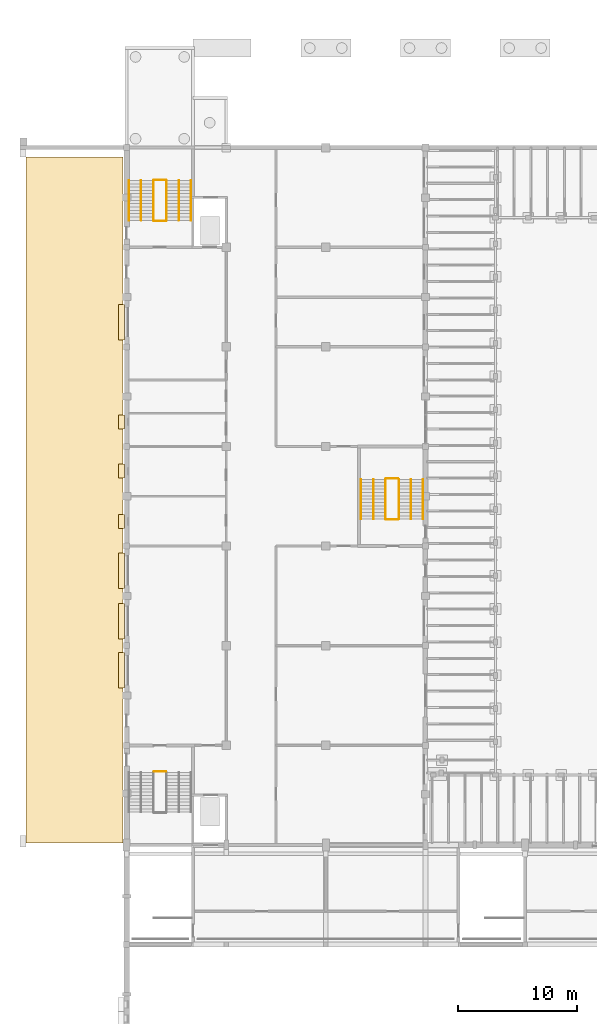
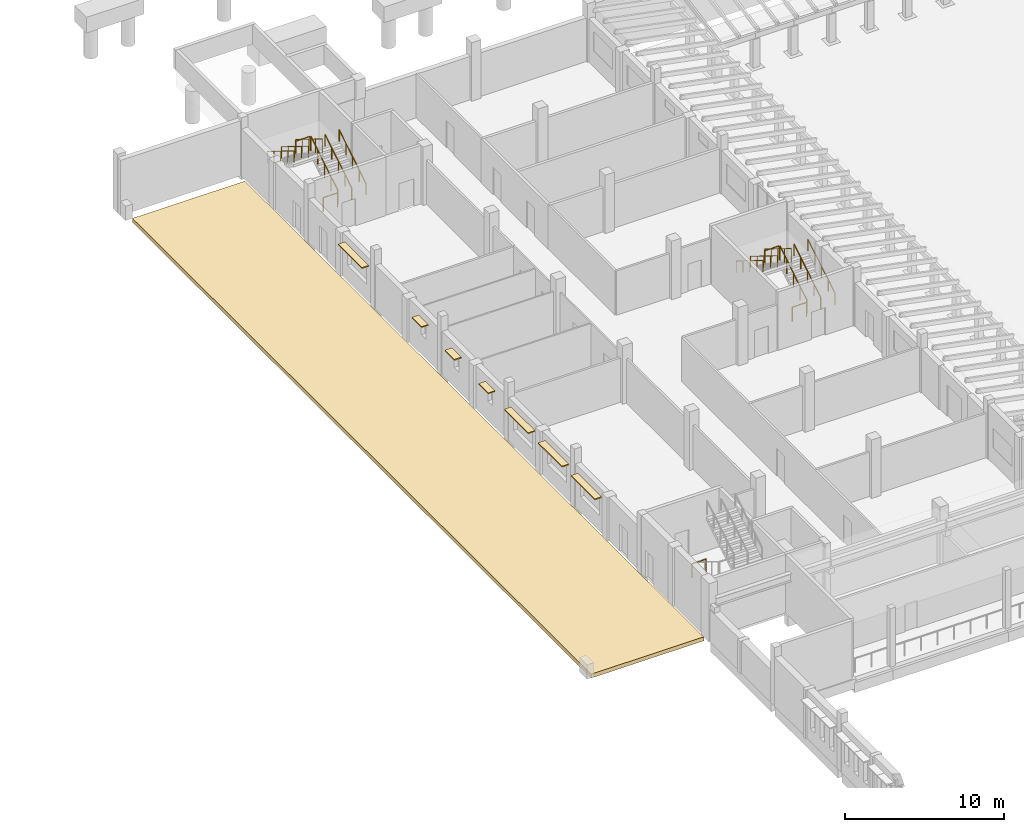
# One storey, part 55 of 60: 17 railings, 8 coverings.
"""IFC4 building model written with IfcOpenShell, lengths in metres."""

from ifc_helpers import new_model, si_unit, direction, frame, origin, origin_2d, place, context, subcontext, project, spatial, polyline, rectangle, circle, outline, extrude, material, layer, layer_set, type_object, element, save


model = new_model("IFC4")

# Units and contexts
model_context = context("Model", 3, precision=1e-05, world=origin(), true_north=direction((0.0, 1.0)))
body_context = subcontext(model_context, "Body", "Model", "MODEL_VIEW")
ifc_project = project(units=[si_unit("LENGTHUNIT", "METRE"), si_unit("AREAUNIT", "SQUARE_METRE"), si_unit("VOLUMEUNIT", "CUBIC_METRE"), si_unit("PLANEANGLEUNIT", "RADIAN"), si_unit("MASSUNIT", "GRAM", prefix="KILO")], contexts=[model_context])

# Site, building, storey
site_placement = place(None, origin())
site = spatial("IfcSite", under=ifc_project, at=site_placement, CompositionType="ELEMENT")
building_placement = place(site_placement, origin())
building = spatial("IfcBuilding", under=site, at=building_placement, Name="Fescue Hill Polytechnic", CompositionType="ELEMENT")
storey_placement = place(building_placement, frame((0.0, 0.0, 4.5)))
storey = spatial("IfcBuildingStorey", under=building, at=storey_placement, Name="L01", CompositionType="ELEMENT", Elevation=4.5)

# Coverings
ifc_material_1 = material(Name="Precast concrete C40/50", Category="concrete")
ifc_layer_1 = layer(ifc_material_1, 0.080078125)
ifc_layer_set_1 = layer_set([ifc_layer_1], Name="Precast concrete C40/50")
covering_type_1 = type_object("IfcCoveringType", Name="Shade blade precast 500x80", PredefinedType="CLADDING", material=ifc_layer_set_1)
covering_1_placement = place(storey_placement, frame((-0.43994140625, 94.47509765625, 2.75), z_axis=(0.0, 0.0, 1.0), x_axis=(0.0, -1.0, 0.0)))
element("IfcCovering", 1, at=covering_1_placement, inside=storey, type_object=covering_type_1, Name="SB-L01-V4-1", PredefinedType="CLADDING", context=body_context, shape_type="SweptSolid", body=[
    extrude(rectangle(XDim=3.0, YDim=0.5, at=origin_2d()), origin(), (0.0, 0.0, 1.0), 0.080078125),
])
for number, where, z_axis, x_axis, name in (
    (2, (-0.43994140625, 86.074951171875, 2.75), (0.0, 0.0, 1.0), (0.0, -1.0, 0.0), "SB-L01-V4-2"),
    (3, (-0.43994140625, 81.925048828125, 2.75), (0.0, 0.0, 1.0), (0.0, -1.0, 0.0), "SB-L01-V4-3"),
    (4, (-0.43994140625, 77.675048828125, 2.75), (0.0, 0.0, 1.0), (0.0, -1.0, 0.0), "SB-L01-V4-4"),
):
    element("IfcCovering", number, at=place(storey_placement, frame(where, z_axis=z_axis, x_axis=x_axis)), inside=storey, type_object=covering_type_1, Name=name, PredefinedType="CLADDING", context=body_context, shape_type="SweptSolid", body=[
        extrude(rectangle(XDim=1.199951171875, YDim=0.5, at=origin_2d()), origin(), (0.0, 0.0, 1.0), 0.080078125),
    ])
for number, where, z_axis, x_axis, name in (
    (5, (-0.43994140625, 73.52490234375, 2.75), (0.0, 0.0, 1.0), (0.0, -1.0, 0.0), "SB-L01-V4-5"),
    (6, (-0.43994140625, 69.27490234375, 2.75), (0.0, 0.0, 1.0), (0.0, -1.0, 0.0), "SB-L01-V4-6"),
    (7, (-0.43994140625, 65.125, 2.75), (0.0, 0.0, 1.0), (0.0, -1.0, 0.0), "SB-L01-V4-7"),
):
    element("IfcCovering", number, at=place(storey_placement, frame(where, z_axis=z_axis, x_axis=x_axis)), inside=storey, type_object=covering_type_1, Name=name, PredefinedType="CLADDING", context=body_context, shape_type="SweptSolid", body=[
        extrude(rectangle(XDim=3.0, YDim=0.5, at=origin_2d()), origin(), (0.0, 0.0, 1.0), 0.080078125),
    ])

# Railings
ifc_material_2 = material(Name="Steel 350W (350 MPa)", Category="steel")
railing_type_1 = type_object("IfcRailingType", Name="Stair guard steel 1100", PredefinedType="GUARDRAIL", material=ifc_material_2)
railing_1_placement = place(storey_placement, frame((2.300048828125, 56.574951171875, 0.0)))
element("IfcRailing", 8, at=railing_1_placement, inside=storey, type_object=railing_type_1, Name="L01 ST-V4-1 stair guard 4", PredefinedType="GUARDRAIL", context=body_context, shape_type="SweptSolid", body=[
    extrude(circle(Radius=0.02392578125, at=origin_2d()), frame((0.0, 0.0, 1.076171875), z_axis=(1.0, 0.0, 0.0), x_axis=(0.0, 1.0, 0.0)), (0.0, 0.0, 1.0), 1.02490234375),
    extrude(circle(Radius=0.02099609375, at=origin_2d()), origin(), (0.0, 0.0, 1.0), 1.052001953125),
    extrude(circle(Radius=0.02099609375, at=origin_2d()), frame((1.02490234375, 0.0, 0.0)), (0.0, 0.0, 1.0), 1.052001953125),
])
railing_2_placement = place(storey_placement, frame((3.375, 103.074951171875, 0.173095703125)))
element("IfcRailing", 9, at=railing_2_placement, inside=storey, type_object=railing_type_1, Name="L01 ST-V4-2 stair guard 1", PredefinedType="GUARDRAIL", context=body_context, shape_type="SweptSolid", body=[
    extrude(circle(Radius=0.02392578125, at=origin_2d()), frame((0.0, 0.0, 1.076171875), z_axis=(0.0, 0.850623216509, 0.525775754039), x_axis=(-1.0, 0.0, 0.0)), (0.0, 0.0, 1.0), 3.9501953125),
    extrude(circle(Radius=0.02099609375, at=origin_2d()), origin(), (0.0, 0.0, 1.0), 1.052001953125),
    extrude(circle(Radius=0.02099609375, at=origin_2d()), frame((0.0, 0.840087890625, 0.519287109375)), (0.0, 0.0, 1.0), 1.052001953125),
    extrude(circle(Radius=0.02099609375, at=origin_2d()), frame((0.0, 1.68017578125, 1.03857421875)), (0.0, 0.0, 1.0), 1.052001953125),
    extrude(circle(Radius=0.02099609375, at=origin_2d()), frame((0.0, 2.52001953125, 1.5576171875)), (0.0, 0.0, 1.0), 1.052001953125),
    extrude(circle(Radius=0.02099609375, at=origin_2d()), frame((0.0, 3.360107421875, 2.076904296875)), (0.0, 0.0, 1.0), 1.052001953125),
])
railing_3_placement = place(storey_placement, frame((3.324951171875, 106.485107421875, 2.25)))
element("IfcRailing", 10, at=railing_3_placement, inside=storey, type_object=railing_type_1, Name="L01 ST-V4-2 stair guard 2", PredefinedType="GUARDRAIL", context=body_context, shape_type="SweptSolid", body=[
    extrude(circle(Radius=0.02392578125, at=origin_2d()), frame((0.0, 0.0, 1.076171875), z_axis=(-1.0, 0.0, 0.0), x_axis=(0.0, -1.0, 0.0)), (0.0, 0.0, 1.0), 1.02490234375),
    extrude(circle(Radius=0.02099609375, at=origin_2d()), origin(), (0.0, 0.0, 1.0), 1.052001953125),
    extrude(circle(Radius=0.02099609375, at=origin_2d()), frame((-1.02490234375, 0.0, 0.0)), (0.0, 0.0, 1.0), 1.052001953125),
])
railing_4_placement = place(storey_placement, frame((2.25, 106.43505859375, 2.423095703125)))
element("IfcRailing", 11, at=railing_4_placement, inside=storey, type_object=railing_type_1, Name="L01 ST-V4-2 stair guard 3", PredefinedType="GUARDRAIL", context=body_context, shape_type="SweptSolid", body=[
    extrude(circle(Radius=0.02392578125, at=origin_2d()), frame((0.0, 0.0, 1.076171875), z_axis=(0.0, -0.850623216509, 0.525775754039), x_axis=(1.0, 0.0, 0.0)), (0.0, 0.0, 1.0), 3.9501953125),
    extrude(circle(Radius=0.02099609375, at=origin_2d()), origin(), (0.0, 0.0, 1.0), 1.052001953125),
    extrude(circle(Radius=0.02099609375, at=origin_2d()), frame((0.0, -0.840087890625, 0.519287109375)), (0.0, 0.0, 1.0), 1.052001953125),
    extrude(circle(Radius=0.02099609375, at=origin_2d()), frame((0.0, -1.68017578125, 1.03857421875)), (0.0, 0.0, 1.0), 1.052001953125),
    extrude(circle(Radius=0.02099609375, at=origin_2d()), frame((0.0, -2.52001953125, 1.5576171875)), (0.0, 0.0, 1.0), 1.052001953125),
    extrude(circle(Radius=0.02099609375, at=origin_2d()), frame((0.0, -3.360107421875, 2.076904296875)), (0.0, 0.0, 1.0), 1.052001953125),
])
railing_5_placement = place(storey_placement, frame((3.324951171875, 103.02490234375, 0.0)))
element("IfcRailing", 12, at=railing_5_placement, inside=storey, type_object=railing_type_1, Name="L01 ST-V4-2 stair guard 4", PredefinedType="GUARDRAIL", context=body_context, shape_type="SweptSolid", body=[
    extrude(circle(Radius=0.02392578125, at=origin_2d()), frame((0.0, 0.0, 1.076171875), z_axis=(-1.0, 0.0, 0.0), x_axis=(0.0, -1.0, 0.0)), (0.0, 0.0, 1.0), 1.02490234375),
    extrude(circle(Radius=0.02099609375, at=origin_2d()), origin(), (0.0, 0.0, 1.0), 1.052001953125),
    extrude(circle(Radius=0.02099609375, at=origin_2d()), frame((-1.02490234375, 0.0, 0.0)), (0.0, 0.0, 1.0), 1.052001953125),
])
railing_6_placement = place(storey_placement, frame((22.949951171875, 77.875, 0.173095703125)))
element("IfcRailing", 13, at=railing_6_placement, inside=storey, type_object=railing_type_1, Name="L01 ST-V4-3 stair guard 1", PredefinedType="GUARDRAIL", context=body_context, shape_type="SweptSolid", body=[
    extrude(circle(Radius=0.02392578125, at=origin_2d()), frame((0.0, 0.0, 1.076171875), z_axis=(0.0, 0.850623216509, 0.525775754039), x_axis=(-1.0, 0.0, 0.0)), (0.0, 0.0, 1.0), 3.9501953125),
    extrude(circle(Radius=0.02099609375, at=origin_2d()), origin(), (0.0, 0.0, 1.0), 1.052001953125),
    extrude(circle(Radius=0.02099609375, at=origin_2d()), frame((0.0, 0.840087890625, 0.519287109375)), (0.0, 0.0, 1.0), 1.052001953125),
    extrude(circle(Radius=0.02099609375, at=origin_2d()), frame((0.0, 1.68017578125, 1.03857421875)), (0.0, 0.0, 1.0), 1.052001953125),
    extrude(circle(Radius=0.02099609375, at=origin_2d()), frame((0.0, 2.52001953125, 1.5576171875)), (0.0, 0.0, 1.0), 1.052001953125),
    extrude(circle(Radius=0.02099609375, at=origin_2d()), frame((0.0, 3.360107421875, 2.076904296875)), (0.0, 0.0, 1.0), 1.052001953125),
])
railing_7_placement = place(storey_placement, frame((22.89990234375, 81.284912109375, 2.25)))
element("IfcRailing", 14, at=railing_7_placement, inside=storey, type_object=railing_type_1, Name="L01 ST-V4-3 stair guard 2", PredefinedType="GUARDRAIL", context=body_context, shape_type="SweptSolid", body=[
    extrude(circle(Radius=0.02392578125, at=origin_2d()), frame((0.0, 0.0, 1.076171875), z_axis=(-1.0, 0.0, 0.0), x_axis=(0.0, -1.0, 0.0)), (0.0, 0.0, 1.0), 1.02490234375),
    extrude(circle(Radius=0.02099609375, at=origin_2d()), origin(), (0.0, 0.0, 1.0), 1.052001953125),
    extrude(circle(Radius=0.02099609375, at=origin_2d()), frame((-1.02490234375, 0.0, 0.0)), (0.0, 0.0, 1.0), 1.052001953125),
])
railing_8_placement = place(storey_placement, frame((21.824951171875, 81.235107421875, 2.423095703125)))
element("IfcRailing", 15, at=railing_8_placement, inside=storey, type_object=railing_type_1, Name="L01 ST-V4-3 stair guard 3", PredefinedType="GUARDRAIL", context=body_context, shape_type="SweptSolid", body=[
    extrude(circle(Radius=0.02392578125, at=origin_2d()), frame((0.0, 0.0, 1.076171875), z_axis=(0.0, -0.850623216509, 0.525775754039), x_axis=(1.0, 0.0, 0.0)), (0.0, 0.0, 1.0), 3.9501953125),
    extrude(circle(Radius=0.02099609375, at=origin_2d()), origin(), (0.0, 0.0, 1.0), 1.052001953125),
    extrude(circle(Radius=0.02099609375, at=origin_2d()), frame((0.0, -0.840087890625, 0.519287109375)), (0.0, 0.0, 1.0), 1.052001953125),
    extrude(circle(Radius=0.02099609375, at=origin_2d()), frame((0.0, -1.68017578125, 1.03857421875)), (0.0, 0.0, 1.0), 1.052001953125),
    extrude(circle(Radius=0.02099609375, at=origin_2d()), frame((0.0, -2.52001953125, 1.5576171875)), (0.0, 0.0, 1.0), 1.052001953125),
    extrude(circle(Radius=0.02099609375, at=origin_2d()), frame((0.0, -3.360107421875, 2.076904296875)), (0.0, 0.0, 1.0), 1.052001953125),
])
railing_9_placement = place(storey_placement, frame((22.89990234375, 77.824951171875, 0.0)))
element("IfcRailing", 16, at=railing_9_placement, inside=storey, type_object=railing_type_1, Name="L01 ST-V4-3 stair guard 4", PredefinedType="GUARDRAIL", context=body_context, shape_type="SweptSolid", body=[
    extrude(circle(Radius=0.02392578125, at=origin_2d()), frame((0.0, 0.0, 1.076171875), z_axis=(-1.0, 0.0, 0.0), x_axis=(0.0, -1.0, 0.0)), (0.0, 0.0, 1.0), 1.02490234375),
    extrude(circle(Radius=0.02099609375, at=origin_2d()), origin(), (0.0, 0.0, 1.0), 1.052001953125),
    extrude(circle(Radius=0.02099609375, at=origin_2d()), frame((-1.02490234375, 0.0, 0.0)), (0.0, 0.0, 1.0), 1.052001953125),
])
railing_type_2 = type_object("IfcRailingType", Name="Stair handrail steel 900", PredefinedType="HANDRAIL", material=ifc_material_2)
railing_10_placement = place(storey_placement, frame((5.425048828125, 103.074951171875, 0.173095703125)))
element("IfcRailing", 17, at=railing_10_placement, inside=storey, type_object=railing_type_2, Name="L01 ST-V4-2 stair handrail 1", PredefinedType="HANDRAIL", context=body_context, shape_type="SweptSolid", body=[
    extrude(circle(Radius=0.02392578125, at=origin_2d()), frame((0.0, 0.0, 0.8759765625), z_axis=(0.0, 0.850623216509, 0.525775754039), x_axis=(-1.0, 0.0, 0.0)), (0.0, 0.0, 1.0), 3.9501953125),
    extrude(circle(Radius=0.02099609375, at=origin_2d()), origin(), (0.0, 0.0, 1.0), 0.851806640625),
    extrude(circle(Radius=0.02099609375, at=origin_2d()), frame((0.0, 0.840087890625, 0.519287109375)), (0.0, 0.0, 1.0), 0.851806640625),
    extrude(circle(Radius=0.02099609375, at=origin_2d()), frame((0.0, 1.68017578125, 1.03857421875)), (0.0, 0.0, 1.0), 0.851806640625),
    extrude(circle(Radius=0.02099609375, at=origin_2d()), frame((0.0, 2.52001953125, 1.5576171875)), (0.0, 0.0, 1.0), 0.851806640625),
    extrude(circle(Radius=0.02099609375, at=origin_2d()), frame((0.0, 3.360107421875, 2.076904296875)), (0.0, 0.0, 1.0), 0.851806640625),
])
railing_11_placement = place(storey_placement, frame((0.199951171875, 106.43505859375, 2.423095703125)))
element("IfcRailing", 18, at=railing_11_placement, inside=storey, type_object=railing_type_2, Name="L01 ST-V4-2 stair handrail 2", PredefinedType="HANDRAIL", context=body_context, shape_type="SweptSolid", body=[
    extrude(circle(Radius=0.02392578125, at=origin_2d()), frame((0.0, 0.0, 0.8759765625), z_axis=(0.0, -0.850623216509, 0.525775754039), x_axis=(1.0, 0.0, 0.0)), (0.0, 0.0, 1.0), 3.9501953125),
    extrude(circle(Radius=0.02099609375, at=origin_2d()), origin(), (0.0, 0.0, 1.0), 0.851806640625),
    extrude(circle(Radius=0.02099609375, at=origin_2d()), frame((0.0, -0.840087890625, 0.519287109375)), (0.0, 0.0, 1.0), 0.851806640625),
    extrude(circle(Radius=0.02099609375, at=origin_2d()), frame((0.0, -1.68017578125, 1.03857421875)), (0.0, 0.0, 1.0), 0.851806640625),
    extrude(circle(Radius=0.02099609375, at=origin_2d()), frame((0.0, -2.52001953125, 1.5576171875)), (0.0, 0.0, 1.0), 0.851806640625),
    extrude(circle(Radius=0.02099609375, at=origin_2d()), frame((0.0, -3.360107421875, 2.076904296875)), (0.0, 0.0, 1.0), 0.851806640625),
])
railing_12_placement = place(storey_placement, frame((4.39990234375, 103.074951171875, 0.173095703125)))
element("IfcRailing", 19, at=railing_12_placement, inside=storey, type_object=railing_type_2, Name="L01 ST-V4-2 stair handrail 3", PredefinedType="HANDRAIL", context=body_context, shape_type="SweptSolid", body=[
    extrude(circle(Radius=0.02392578125, at=origin_2d()), frame((0.0, 0.0, 0.8759765625), z_axis=(0.0, 0.850623216509, 0.525775754039), x_axis=(-1.0, 0.0, 0.0)), (0.0, 0.0, 1.0), 3.9501953125),
    extrude(circle(Radius=0.02099609375, at=origin_2d()), origin(), (0.0, 0.0, 1.0), 0.851806640625),
    extrude(circle(Radius=0.02099609375, at=origin_2d()), frame((0.0, 0.840087890625, 0.519287109375)), (0.0, 0.0, 1.0), 0.851806640625),
    extrude(circle(Radius=0.02099609375, at=origin_2d()), frame((0.0, 1.68017578125, 1.03857421875)), (0.0, 0.0, 1.0), 0.851806640625),
    extrude(circle(Radius=0.02099609375, at=origin_2d()), frame((0.0, 2.52001953125, 1.5576171875)), (0.0, 0.0, 1.0), 0.851806640625),
    extrude(circle(Radius=0.02099609375, at=origin_2d()), frame((0.0, 3.360107421875, 2.076904296875)), (0.0, 0.0, 1.0), 0.851806640625),
])
railing_13_placement = place(storey_placement, frame((1.22509765625, 106.43505859375, 2.423095703125)))
element("IfcRailing", 20, at=railing_13_placement, inside=storey, type_object=railing_type_2, Name="L01 ST-V4-2 stair handrail 4", PredefinedType="HANDRAIL", context=body_context, shape_type="SweptSolid", body=[
    extrude(circle(Radius=0.02392578125, at=origin_2d()), frame((0.0, 0.0, 0.8759765625), z_axis=(0.0, -0.850623216509, 0.525775754039), x_axis=(1.0, 0.0, 0.0)), (0.0, 0.0, 1.0), 3.9501953125),
    extrude(circle(Radius=0.02099609375, at=origin_2d()), origin(), (0.0, 0.0, 1.0), 0.851806640625),
    extrude(circle(Radius=0.02099609375, at=origin_2d()), frame((0.0, -0.840087890625, 0.519287109375)), (0.0, 0.0, 1.0), 0.851806640625),
    extrude(circle(Radius=0.02099609375, at=origin_2d()), frame((0.0, -1.68017578125, 1.03857421875)), (0.0, 0.0, 1.0), 0.851806640625),
    extrude(circle(Radius=0.02099609375, at=origin_2d()), frame((0.0, -2.52001953125, 1.5576171875)), (0.0, 0.0, 1.0), 0.851806640625),
    extrude(circle(Radius=0.02099609375, at=origin_2d()), frame((0.0, -3.360107421875, 2.076904296875)), (0.0, 0.0, 1.0), 0.851806640625),
])
railing_14_placement = place(storey_placement, frame((25.0, 77.875, 0.173095703125)))
element("IfcRailing", 21, at=railing_14_placement, inside=storey, type_object=railing_type_2, Name="L01 ST-V4-3 stair handrail 1", PredefinedType="HANDRAIL", context=body_context, shape_type="SweptSolid", body=[
    extrude(circle(Radius=0.02392578125, at=origin_2d()), frame((0.0, 0.0, 0.8759765625), z_axis=(0.0, 0.850623216509, 0.525775754039), x_axis=(-1.0, 0.0, 0.0)), (0.0, 0.0, 1.0), 3.9501953125),
    extrude(circle(Radius=0.02099609375, at=origin_2d()), origin(), (0.0, 0.0, 1.0), 0.851806640625),
    extrude(circle(Radius=0.02099609375, at=origin_2d()), frame((0.0, 0.840087890625, 0.519287109375)), (0.0, 0.0, 1.0), 0.851806640625),
    extrude(circle(Radius=0.02099609375, at=origin_2d()), frame((0.0, 1.68017578125, 1.03857421875)), (0.0, 0.0, 1.0), 0.851806640625),
    extrude(circle(Radius=0.02099609375, at=origin_2d()), frame((0.0, 2.52001953125, 1.5576171875)), (0.0, 0.0, 1.0), 0.851806640625),
    extrude(circle(Radius=0.02099609375, at=origin_2d()), frame((0.0, 3.360107421875, 2.076904296875)), (0.0, 0.0, 1.0), 0.851806640625),
])
railing_15_placement = place(storey_placement, frame((19.77490234375, 81.235107421875, 2.423095703125)))
element("IfcRailing", 22, at=railing_15_placement, inside=storey, type_object=railing_type_2, Name="L01 ST-V4-3 stair handrail 2", PredefinedType="HANDRAIL", context=body_context, shape_type="SweptSolid", body=[
    extrude(circle(Radius=0.02392578125, at=origin_2d()), frame((0.0, 0.0, 0.8759765625), z_axis=(0.0, -0.850623216509, 0.525775754039), x_axis=(1.0, 0.0, 0.0)), (0.0, 0.0, 1.0), 3.9501953125),
    extrude(circle(Radius=0.02099609375, at=origin_2d()), origin(), (0.0, 0.0, 1.0), 0.851806640625),
    extrude(circle(Radius=0.02099609375, at=origin_2d()), frame((0.0, -0.840087890625, 0.519287109375)), (0.0, 0.0, 1.0), 0.851806640625),
    extrude(circle(Radius=0.02099609375, at=origin_2d()), frame((0.0, -1.68017578125, 1.03857421875)), (0.0, 0.0, 1.0), 0.851806640625),
    extrude(circle(Radius=0.02099609375, at=origin_2d()), frame((0.0, -2.52001953125, 1.5576171875)), (0.0, 0.0, 1.0), 0.851806640625),
    extrude(circle(Radius=0.02099609375, at=origin_2d()), frame((0.0, -3.360107421875, 2.076904296875)), (0.0, 0.0, 1.0), 0.851806640625),
])
railing_16_placement = place(storey_placement, frame((23.97509765625, 77.875, 0.173095703125)))
element("IfcRailing", 23, at=railing_16_placement, inside=storey, type_object=railing_type_2, Name="L01 ST-V4-3 stair handrail 3", PredefinedType="HANDRAIL", context=body_context, shape_type="SweptSolid", body=[
    extrude(circle(Radius=0.02392578125, at=origin_2d()), frame((0.0, 0.0, 0.8759765625), z_axis=(0.0, 0.850623216509, 0.525775754039), x_axis=(-1.0, 0.0, 0.0)), (0.0, 0.0, 1.0), 3.9501953125),
    extrude(circle(Radius=0.02099609375, at=origin_2d()), origin(), (0.0, 0.0, 1.0), 0.851806640625),
    extrude(circle(Radius=0.02099609375, at=origin_2d()), frame((0.0, 0.840087890625, 0.519287109375)), (0.0, 0.0, 1.0), 0.851806640625),
    extrude(circle(Radius=0.02099609375, at=origin_2d()), frame((0.0, 1.68017578125, 1.03857421875)), (0.0, 0.0, 1.0), 0.851806640625),
    extrude(circle(Radius=0.02099609375, at=origin_2d()), frame((0.0, 2.52001953125, 1.5576171875)), (0.0, 0.0, 1.0), 0.851806640625),
    extrude(circle(Radius=0.02099609375, at=origin_2d()), frame((0.0, 3.360107421875, 2.076904296875)), (0.0, 0.0, 1.0), 0.851806640625),
])
railing_17_placement = place(storey_placement, frame((20.800048828125, 81.235107421875, 2.423095703125)))
element("IfcRailing", 24, at=railing_17_placement, inside=storey, type_object=railing_type_2, Name="L01 ST-V4-3 stair handrail 4", PredefinedType="HANDRAIL", context=body_context, shape_type="SweptSolid", body=[
    extrude(circle(Radius=0.02392578125, at=origin_2d()), frame((0.0, 0.0, 0.8759765625), z_axis=(0.0, -0.850623216509, 0.525775754039), x_axis=(1.0, 0.0, 0.0)), (0.0, 0.0, 1.0), 3.9501953125),
    extrude(circle(Radius=0.02099609375, at=origin_2d()), origin(), (0.0, 0.0, 1.0), 0.851806640625),
    extrude(circle(Radius=0.02099609375, at=origin_2d()), frame((0.0, -0.840087890625, 0.519287109375)), (0.0, 0.0, 1.0), 0.851806640625),
    extrude(circle(Radius=0.02099609375, at=origin_2d()), frame((0.0, -1.68017578125, 1.03857421875)), (0.0, 0.0, 1.0), 0.851806640625),
    extrude(circle(Radius=0.02099609375, at=origin_2d()), frame((0.0, -2.52001953125, 1.5576171875)), (0.0, 0.0, 1.0), 0.851806640625),
    extrude(circle(Radius=0.02099609375, at=origin_2d()), frame((0.0, -3.360107421875, 2.076904296875)), (0.0, 0.0, 1.0), 0.851806640625),
])

# Covering
ifc_material_3 = material(Name="Paving and gravel")
ifc_layer_2 = layer(ifc_material_3, 0.300048828125)
ifc_layer_set_2 = layer_set([ifc_layer_2], Name="Paving and gravel")
covering_type_2 = type_object("IfcCoveringType", Name="Terrace paving and gravel 300", PredefinedType="FLOORING", material=ifc_layer_set_2)
covering_2_placement = place(storey_placement, frame((0.0, 0.0, -0.300048828125)))
element("IfcCovering", 25, at=covering_2_placement, inside=storey, type_object=covering_type_2, Name="West terrace paving", PredefinedType="FLOORING", context=body_context, shape_type="SweptSolid", body=[
    extrude(outline(polyline([(-8.492919921875, 108.39990234375), (-0.300048828125, 108.39990234375), (-0.300048828125, 50.574951171875), (-8.492919921875, 50.574951171875), (-8.492919921875, 108.39990234375)])), origin(), (0.0, 0.0, 1.0), 0.300048828125),
])

save(model, "model.ifc")
